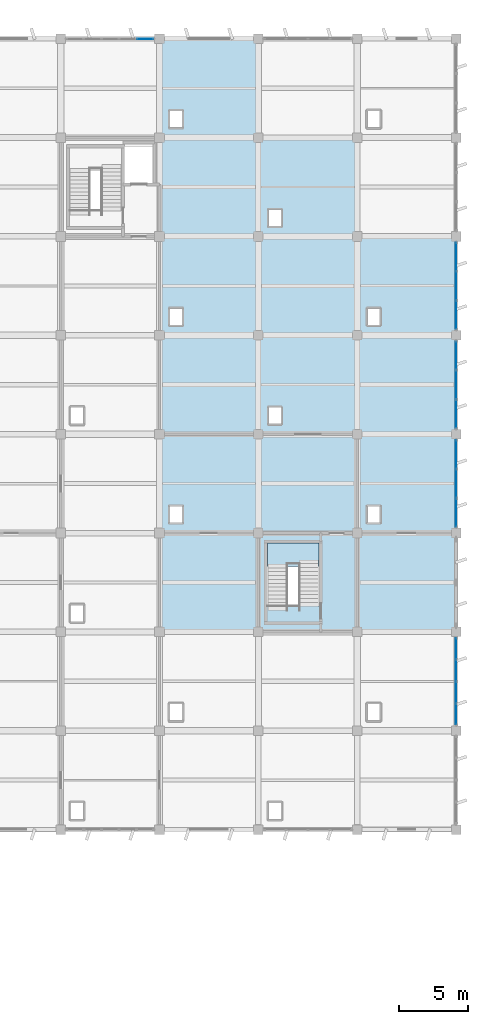
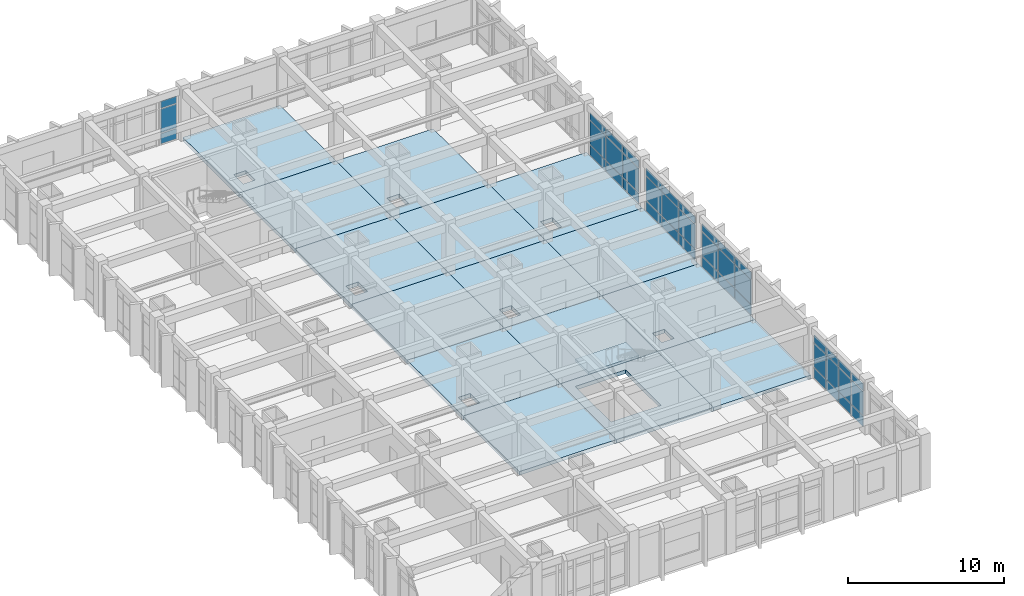
# One storey, part 44 of 70: 42 plates, 16 slabs, 6 elements without a shape of their own.
"""IFC4 building model written with IfcOpenShell, lengths in metres."""

from ifc_helpers import new_model, si_unit, direction, frame, origin, origin_2d, place, context, subcontext, project, spatial, polyline, rectangle, outline, extrude, material, layer, layer_set, type_object, element, aggregate, save


model = new_model("IFC4")

# Units and contexts
model_context = context("Model", 3, precision=1e-05, world=origin(), true_north=direction((0.0, 1.0)))
body_context = subcontext(model_context, "Body", "Model", "MODEL_VIEW")
ifc_project = project(units=[si_unit("LENGTHUNIT", "METRE"), si_unit("AREAUNIT", "SQUARE_METRE"), si_unit("VOLUMEUNIT", "CUBIC_METRE"), si_unit("PLANEANGLEUNIT", "RADIAN"), si_unit("MASSUNIT", "GRAM", prefix="KILO")], contexts=[model_context])

# Site, building, storey
site_placement = place(None, origin())
site = spatial("IfcSite", under=ifc_project, at=site_placement, CompositionType="ELEMENT")
building_placement = place(site_placement, origin())
building = spatial("IfcBuilding", under=site, at=building_placement, Name="Kavelor Marine Aquarium", CompositionType="ELEMENT")
storey_placement = place(building_placement, frame((0.0, 0.0, 9.179931640625)))
storey = spatial("IfcBuildingStorey", under=building, at=storey_placement, Name="L02", CompositionType="ELEMENT", Elevation=9.179931640625)

# Curtain wall, plates
ifc_material_1 = material(Name="Thermally Broken Aluminium and Low-E Glass", Category="aluminium")
ifc_layer_1 = layer(ifc_material_1, 0.26806640625)
ifc_layer_set_1 = layer_set([ifc_layer_1], Name="CW-SYS16")
curtain_wall_type_1 = type_object("IfcCurtainWallType", Name="CW-SYS16", PredefinedType="USERDEFINED", material=ifc_layer_set_1)
curtain_wall_1_placement = place(storey_placement, origin())
curtain_wall_1 = element("IfcCurtainWall", 1, at=curtain_wall_1_placement, inside=storey, type_object=curtain_wall_type_1, Name="cw:y:L02:21_08", ObjectType="Curtain Wall", PredefinedType="USERDEFINED")
ifc_material_2 = material(Name="Solar-Control Double Low-E Glazing", Category="glass")
ifc_layer_2 = layer(ifc_material_2, 0.031982421875)
ifc_layer_set_2 = layer_set([ifc_layer_2], Name="CWP-04")
plate_type_1 = type_object("IfcPlateType", Name="CWP-04", PredefinedType="CURTAIN_PANEL", material=ifc_layer_set_2)
plate_1_placement = place(storey_placement, frame((154.39990234375, 61.614990234375, 0.06005859375), z_axis=(0.0, 0.0, 1.0), x_axis=(0.0, 1.0, 0.0)))
plate_1 = element("IfcPlate", 2, at=plate_1_placement, type_object=plate_type_1, Name="CW16 panel 1.1", PredefinedType="CURTAIN_PANEL", context=body_context, shape_type="SweptSolid", body=[
    extrude(rectangle(XDim=1.489990234375, YDim=0.031982421875, at=origin_2d()), origin(), (0.0, 0.0, 1.0), 0.81005859375),
])
plate_2_placement = place(storey_placement, frame((154.39990234375, 61.614990234375, 0.929931640625), z_axis=(0.0, 0.0, 1.0), x_axis=(0.0, 1.0, 0.0)))
plate_2 = element("IfcPlate", 3, at=plate_2_placement, type_object=plate_type_1, Name="CW16 panel 1.2", PredefinedType="CURTAIN_PANEL", context=body_context, shape_type="SweptSolid", body=[
    extrude(rectangle(XDim=1.489990234375, YDim=0.031982421875, at=origin_2d()), origin(), (0.0, 0.0, 1.0), 1.8701171875),
])
plate_3_placement = place(storey_placement, frame((154.39990234375, 61.614990234375, 2.860107421875), z_axis=(0.0, 0.0, 1.0), x_axis=(0.0, 1.0, 0.0)))
plate_3 = element("IfcPlate", 4, at=plate_3_placement, type_object=plate_type_1, Name="CW16 panel 1.3", PredefinedType="CURTAIN_PANEL", context=body_context, shape_type="SweptSolid", body=[
    extrude(rectangle(XDim=1.489990234375, YDim=0.031982421875, at=origin_2d()), origin(), (0.0, 0.0, 1.0), 0.56005859375),
])
plate_4_placement = place(storey_placement, frame((154.39990234375, 63.19873046875, 0.06005859375), z_axis=(0.0, 0.0, 1.0), x_axis=(0.0, 1.0, 0.0)))
plate_4 = element("IfcPlate", 5, at=plate_4_placement, type_object=plate_type_1, Name="CW16 panel 2.1", PredefinedType="CURTAIN_PANEL", context=body_context, shape_type="SweptSolid", body=[
    extrude(rectangle(XDim=1.527587890625, YDim=0.031982421875, at=origin_2d()), origin(), (0.0, 0.0, 1.0), 0.81005859375),
])
plate_5_placement = place(storey_placement, frame((154.39990234375, 63.19873046875, 0.929931640625), z_axis=(0.0, 0.0, 1.0), x_axis=(0.0, 1.0, 0.0)))
plate_5 = element("IfcPlate", 6, at=plate_5_placement, type_object=plate_type_1, Name="CW16 panel 2.2", PredefinedType="CURTAIN_PANEL", context=body_context, shape_type="SweptSolid", body=[
    extrude(rectangle(XDim=1.527587890625, YDim=0.031982421875, at=origin_2d()), origin(), (0.0, 0.0, 1.0), 1.8701171875),
])
plate_6_placement = place(storey_placement, frame((154.39990234375, 63.19873046875, 2.860107421875), z_axis=(0.0, 0.0, 1.0), x_axis=(0.0, 1.0, 0.0)))
plate_6 = element("IfcPlate", 7, at=plate_6_placement, type_object=plate_type_1, Name="CW16 panel 2.3", PredefinedType="CURTAIN_PANEL", context=body_context, shape_type="SweptSolid", body=[
    extrude(rectangle(XDim=1.527587890625, YDim=0.031982421875, at=origin_2d()), origin(), (0.0, 0.0, 1.0), 0.56005859375),
])
plate_7_placement = place(storey_placement, frame((154.39990234375, 64.80126953125, 0.06005859375), z_axis=(0.0, 0.0, 1.0), x_axis=(0.0, 1.0, 0.0)))
plate_7 = element("IfcPlate", 8, at=plate_7_placement, type_object=plate_type_1, Name="CW16 panel 3.1", PredefinedType="CURTAIN_PANEL", context=body_context, shape_type="SweptSolid", body=[
    extrude(rectangle(XDim=1.527587890625, YDim=0.031982421875, at=origin_2d()), origin(), (0.0, 0.0, 1.0), 0.81005859375),
])
plate_8_placement = place(storey_placement, frame((154.39990234375, 64.80126953125, 0.929931640625), z_axis=(0.0, 0.0, 1.0), x_axis=(0.0, 1.0, 0.0)))
plate_8 = element("IfcPlate", 9, at=plate_8_placement, type_object=plate_type_1, Name="CW16 panel 3.2", PredefinedType="CURTAIN_PANEL", context=body_context, shape_type="SweptSolid", body=[
    extrude(rectangle(XDim=1.527587890625, YDim=0.031982421875, at=origin_2d()), origin(), (0.0, 0.0, 1.0), 1.8701171875),
])
plate_9_placement = place(storey_placement, frame((154.39990234375, 64.80126953125, 2.860107421875), z_axis=(0.0, 0.0, 1.0), x_axis=(0.0, 1.0, 0.0)))
plate_9 = element("IfcPlate", 10, at=plate_9_placement, type_object=plate_type_1, Name="CW16 panel 3.3", PredefinedType="CURTAIN_PANEL", context=body_context, shape_type="SweptSolid", body=[
    extrude(rectangle(XDim=1.527587890625, YDim=0.031982421875, at=origin_2d()), origin(), (0.0, 0.0, 1.0), 0.56005859375),
])
plate_10_placement = place(storey_placement, frame((154.39990234375, 66.385009765625, 0.06005859375), z_axis=(0.0, 0.0, 1.0), x_axis=(0.0, 1.0, 0.0)))
plate_10 = element("IfcPlate", 11, at=plate_10_placement, type_object=plate_type_1, Name="CW16 panel 4.1", PredefinedType="CURTAIN_PANEL", context=body_context, shape_type="SweptSolid", body=[
    extrude(rectangle(XDim=1.489990234375, YDim=0.031982421875, at=origin_2d()), origin(), (0.0, 0.0, 1.0), 0.81005859375),
])
plate_11_placement = place(storey_placement, frame((154.39990234375, 66.385009765625, 0.929931640625), z_axis=(0.0, 0.0, 1.0), x_axis=(0.0, 1.0, 0.0)))
plate_11 = element("IfcPlate", 12, at=plate_11_placement, type_object=plate_type_1, Name="CW16 panel 4.2", PredefinedType="CURTAIN_PANEL", context=body_context, shape_type="SweptSolid", body=[
    extrude(rectangle(XDim=1.489990234375, YDim=0.031982421875, at=origin_2d()), origin(), (0.0, 0.0, 1.0), 1.8701171875),
])
plate_12_placement = place(storey_placement, frame((154.39990234375, 66.385009765625, 2.860107421875), z_axis=(0.0, 0.0, 1.0), x_axis=(0.0, 1.0, 0.0)))
plate_12 = element("IfcPlate", 13, at=plate_12_placement, type_object=plate_type_1, Name="CW16 panel 4.3", PredefinedType="CURTAIN_PANEL", context=body_context, shape_type="SweptSolid", body=[
    extrude(rectangle(XDim=1.489990234375, YDim=0.031982421875, at=origin_2d()), origin(), (0.0, 0.0, 1.0), 0.56005859375),
])
aggregate(curtain_wall_1, [plate_1, plate_2, plate_3, plate_4, plate_5, plate_6, plate_7, plate_8, plate_9, plate_10, plate_11, plate_12])

ifc_material_3 = material(Name="Thermally Broken Aluminium and Low-E Glass", Category="aluminium")
ifc_layer_3 = layer(ifc_material_3, 0.27587890625)
ifc_layer_set_3 = layer_set([ifc_layer_3], Name="CW-SYS17")
curtain_wall_type_2 = type_object("IfcCurtainWallType", Name="CW-SYS17", PredefinedType="USERDEFINED", material=ifc_layer_set_3)
curtain_wall_2_placement = place(storey_placement, origin())
curtain_wall_2 = element("IfcCurtainWall", 14, at=curtain_wall_2_placement, inside=storey, type_object=curtain_wall_type_2, Name="cw:y:L02:21_10", ObjectType="Curtain Wall", PredefinedType="USERDEFINED")
ifc_material_4 = material(Name="Solar-Control Double Low-E Glazing", Category="glass")
ifc_layer_4 = layer(ifc_material_4, 0.033935546875)
ifc_layer_set_4 = layer_set([ifc_layer_4], Name="CWP-05")
plate_type_2 = type_object("IfcPlateType", Name="CWP-05", PredefinedType="CURTAIN_PANEL", material=ifc_layer_set_4)
plate_13_placement = place(storey_placement, frame((154.39990234375, 76.279541015625, 0.06005859375), z_axis=(0.0, 0.0, 1.0), x_axis=(0.0, 1.0, 0.0)))
plate_13 = element("IfcPlate", 15, at=plate_13_placement, type_object=plate_type_2, Name="CW17 panel 1.1", PredefinedType="CURTAIN_PANEL", context=body_context, shape_type="SweptSolid", body=[
    extrude(rectangle(XDim=2.0390625, YDim=0.033935546875, at=origin_2d()), origin(), (0.0, 0.0, 1.0), 0.81005859375),
])
plate_14_placement = place(storey_placement, frame((154.39990234375, 76.279541015625, 0.929931640625), z_axis=(0.0, 0.0, 1.0), x_axis=(0.0, 1.0, 0.0)))
plate_14 = element("IfcPlate", 16, at=plate_14_placement, type_object=plate_type_2, Name="CW17 panel 1.2", PredefinedType="CURTAIN_PANEL", context=body_context, shape_type="SweptSolid", body=[
    extrude(rectangle(XDim=2.0390625, YDim=0.033935546875, at=origin_2d()), origin(), (0.0, 0.0, 1.0), 1.8701171875),
])
plate_15_placement = place(storey_placement, frame((154.39990234375, 76.279541015625, 2.860107421875), z_axis=(0.0, 0.0, 1.0), x_axis=(0.0, 1.0, 0.0)))
plate_15 = element("IfcPlate", 17, at=plate_15_placement, type_object=plate_type_2, Name="CW17 panel 1.3", PredefinedType="CURTAIN_PANEL", context=body_context, shape_type="SweptSolid", body=[
    extrude(rectangle(XDim=2.0390625, YDim=0.033935546875, at=origin_2d()), origin(), (0.0, 0.0, 1.0), 0.56005859375),
])
plate_16_placement = place(storey_placement, frame((154.39990234375, 78.39990234375, 0.06005859375), z_axis=(0.0, 0.0, 1.0), x_axis=(0.0, 1.0, 0.0)))
plate_16 = element("IfcPlate", 18, at=plate_16_placement, type_object=plate_type_2, Name="CW17 panel 2.1", PredefinedType="CURTAIN_PANEL", context=body_context, shape_type="SweptSolid", body=[
    extrude(rectangle(XDim=2.07177734375, YDim=0.033935546875, at=origin_2d()), origin(), (0.0, 0.0, 1.0), 0.81005859375),
])
plate_17_placement = place(storey_placement, frame((154.39990234375, 78.39990234375, 0.929931640625), z_axis=(0.0, 0.0, 1.0), x_axis=(0.0, 1.0, 0.0)))
plate_17 = element("IfcPlate", 19, at=plate_17_placement, type_object=plate_type_2, Name="CW17 panel 2.2", PredefinedType="CURTAIN_PANEL", context=body_context, shape_type="SweptSolid", body=[
    extrude(rectangle(XDim=2.07177734375, YDim=0.033935546875, at=origin_2d()), origin(), (0.0, 0.0, 1.0), 1.8701171875),
])
plate_18_placement = place(storey_placement, frame((154.39990234375, 78.39990234375, 2.860107421875), z_axis=(0.0, 0.0, 1.0), x_axis=(0.0, 1.0, 0.0)))
plate_18 = element("IfcPlate", 20, at=plate_18_placement, type_object=plate_type_2, Name="CW17 panel 2.3", PredefinedType="CURTAIN_PANEL", context=body_context, shape_type="SweptSolid", body=[
    extrude(rectangle(XDim=2.07177734375, YDim=0.033935546875, at=origin_2d()), origin(), (0.0, 0.0, 1.0), 0.56005859375),
])
plate_19_placement = place(storey_placement, frame((154.39990234375, 80.5205078125, 0.06005859375), z_axis=(0.0, 0.0, 1.0), x_axis=(0.0, 1.0, 0.0)))
plate_19 = element("IfcPlate", 21, at=plate_19_placement, type_object=plate_type_2, Name="CW17 panel 3.1", PredefinedType="CURTAIN_PANEL", context=body_context, shape_type="SweptSolid", body=[
    extrude(rectangle(XDim=2.0390625, YDim=0.033935546875, at=origin_2d()), origin(), (0.0, 0.0, 1.0), 0.81005859375),
])
plate_20_placement = place(storey_placement, frame((154.39990234375, 80.5205078125, 0.929931640625), z_axis=(0.0, 0.0, 1.0), x_axis=(0.0, 1.0, 0.0)))
plate_20 = element("IfcPlate", 22, at=plate_20_placement, type_object=plate_type_2, Name="CW17 panel 3.2", PredefinedType="CURTAIN_PANEL", context=body_context, shape_type="SweptSolid", body=[
    extrude(rectangle(XDim=2.0390625, YDim=0.033935546875, at=origin_2d()), origin(), (0.0, 0.0, 1.0), 1.8701171875),
])
plate_21_placement = place(storey_placement, frame((154.39990234375, 80.5205078125, 2.860107421875), z_axis=(0.0, 0.0, 1.0), x_axis=(0.0, 1.0, 0.0)))
plate_21 = element("IfcPlate", 23, at=plate_21_placement, type_object=plate_type_2, Name="CW17 panel 3.3", PredefinedType="CURTAIN_PANEL", context=body_context, shape_type="SweptSolid", body=[
    extrude(rectangle(XDim=2.0390625, YDim=0.033935546875, at=origin_2d()), origin(), (0.0, 0.0, 1.0), 0.56005859375),
])
aggregate(curtain_wall_2, [plate_13, plate_14, plate_15, plate_16, plate_17, plate_18, plate_19, plate_20, plate_21])

ifc_material_5 = material(Name="Thermally Broken Aluminium and Low-E Glass", Category="aluminium")
ifc_layer_5 = layer(ifc_material_5, 0.283935546875)
ifc_layer_set_5 = layer_set([ifc_layer_5], Name="CW-SYS18")
curtain_wall_type_3 = type_object("IfcCurtainWallType", Name="CW-SYS18", PredefinedType="USERDEFINED", material=ifc_layer_set_5)
curtain_wall_3_placement = place(storey_placement, origin())
curtain_wall_3 = element("IfcCurtainWall", 24, at=curtain_wall_3_placement, inside=storey, type_object=curtain_wall_type_3, Name="cw:y:L02:21_11", ObjectType="Curtain Wall", PredefinedType="USERDEFINED")
ifc_material_6 = material(Name="Solar-Control Double Low-E Glazing", Category="glass")
ifc_layer_6 = layer(ifc_material_6, 0.035888671875)
ifc_layer_set_6 = layer_set([ifc_layer_6], Name="CWP-06")
plate_type_3 = type_object("IfcPlateType", Name="CWP-06", PredefinedType="CURTAIN_PANEL", material=ifc_layer_set_6)
plate_22_placement = place(storey_placement, frame((154.39990234375, 83.478271484375, 0.074951171875), z_axis=(0.0, 0.0, 1.0), x_axis=(0.0, 1.0, 0.0)))
plate_22 = element("IfcPlate", 25, at=plate_22_placement, type_object=plate_type_3, Name="CW18 panel 1.1", PredefinedType="CURTAIN_PANEL", context=body_context, shape_type="SweptSolid", body=[
    extrude(rectangle(XDim=2.046630859375, YDim=0.035888671875, at=origin_2d()), origin(), (0.0, 0.0, 1.0), 0.78759765625),
])
plate_23_placement = place(storey_placement, frame((154.39990234375, 83.478271484375, 0.9375), z_axis=(0.0, 0.0, 1.0), x_axis=(0.0, 1.0, 0.0)))
plate_23 = element("IfcPlate", 26, at=plate_23_placement, type_object=plate_type_3, Name="CW18 panel 1.2", PredefinedType="CURTAIN_PANEL", context=body_context, shape_type="SweptSolid", body=[
    extrude(rectangle(XDim=2.046630859375, YDim=0.035888671875, at=origin_2d()), origin(), (0.0, 0.0, 1.0), 1.85498046875),
])
plate_24_placement = place(storey_placement, frame((154.39990234375, 83.478271484375, 2.867431640625), z_axis=(0.0, 0.0, 1.0), x_axis=(0.0, 1.0, 0.0)))
plate_24 = element("IfcPlate", 27, at=plate_24_placement, type_object=plate_type_3, Name="CW18 panel 1.3", PredefinedType="CURTAIN_PANEL", context=body_context, shape_type="SweptSolid", body=[
    extrude(rectangle(XDim=2.046630859375, YDim=0.035888671875, at=origin_2d()), origin(), (0.0, 0.0, 1.0), 0.53759765625),
])
plate_25_placement = place(storey_placement, frame((154.39990234375, 85.60009765625, 0.074951171875), z_axis=(0.0, 0.0, 1.0), x_axis=(0.0, 1.0, 0.0)))
plate_25 = element("IfcPlate", 28, at=plate_25_placement, type_object=plate_type_3, Name="CW18 panel 2.1", PredefinedType="CURTAIN_PANEL", context=body_context, shape_type="SweptSolid", body=[
    extrude(rectangle(XDim=2.07666015625, YDim=0.035888671875, at=origin_2d()), origin(), (0.0, 0.0, 1.0), 0.78759765625),
])
plate_26_placement = place(storey_placement, frame((154.39990234375, 85.60009765625, 0.9375), z_axis=(0.0, 0.0, 1.0), x_axis=(0.0, 1.0, 0.0)))
plate_26 = element("IfcPlate", 29, at=plate_26_placement, type_object=plate_type_3, Name="CW18 panel 2.2", PredefinedType="CURTAIN_PANEL", context=body_context, shape_type="SweptSolid", body=[
    extrude(rectangle(XDim=2.07666015625, YDim=0.035888671875, at=origin_2d()), origin(), (0.0, 0.0, 1.0), 1.85498046875),
])
plate_27_placement = place(storey_placement, frame((154.39990234375, 85.60009765625, 2.867431640625), z_axis=(0.0, 0.0, 1.0), x_axis=(0.0, 1.0, 0.0)))
plate_27 = element("IfcPlate", 30, at=plate_27_placement, type_object=plate_type_3, Name="CW18 panel 2.3", PredefinedType="CURTAIN_PANEL", context=body_context, shape_type="SweptSolid", body=[
    extrude(rectangle(XDim=2.07666015625, YDim=0.035888671875, at=origin_2d()), origin(), (0.0, 0.0, 1.0), 0.53759765625),
])
plate_28_placement = place(storey_placement, frame((154.39990234375, 87.7216796875, 0.074951171875), z_axis=(0.0, 0.0, 1.0), x_axis=(0.0, 1.0, 0.0)))
plate_28 = element("IfcPlate", 31, at=plate_28_placement, type_object=plate_type_3, Name="CW18 panel 3.1", PredefinedType="CURTAIN_PANEL", context=body_context, shape_type="SweptSolid", body=[
    extrude(rectangle(XDim=2.046630859375, YDim=0.035888671875, at=origin_2d()), origin(), (0.0, 0.0, 1.0), 0.78759765625),
])
plate_29_placement = place(storey_placement, frame((154.39990234375, 87.7216796875, 0.9375), z_axis=(0.0, 0.0, 1.0), x_axis=(0.0, 1.0, 0.0)))
plate_29 = element("IfcPlate", 32, at=plate_29_placement, type_object=plate_type_3, Name="CW18 panel 3.2", PredefinedType="CURTAIN_PANEL", context=body_context, shape_type="SweptSolid", body=[
    extrude(rectangle(XDim=2.046630859375, YDim=0.035888671875, at=origin_2d()), origin(), (0.0, 0.0, 1.0), 1.85498046875),
])
plate_30_placement = place(storey_placement, frame((154.39990234375, 87.7216796875, 2.867431640625), z_axis=(0.0, 0.0, 1.0), x_axis=(0.0, 1.0, 0.0)))
plate_30 = element("IfcPlate", 33, at=plate_30_placement, type_object=plate_type_3, Name="CW18 panel 3.3", PredefinedType="CURTAIN_PANEL", context=body_context, shape_type="SweptSolid", body=[
    extrude(rectangle(XDim=2.046630859375, YDim=0.035888671875, at=origin_2d()), origin(), (0.0, 0.0, 1.0), 0.53759765625),
])
aggregate(curtain_wall_3, [plate_22, plate_23, plate_24, plate_25, plate_26, plate_27, plate_28, plate_29, plate_30])

ifc_material_7 = material(Name="Thermally Broken Aluminium and Low-E Glass", Category="aluminium")
ifc_layer_7 = layer(ifc_material_7, 0.196044921875)
ifc_layer_set_7 = layer_set([ifc_layer_7], Name="CW-SYS7")
curtain_wall_type_4 = type_object("IfcCurtainWallType", Name="CW-SYS7", PredefinedType="USERDEFINED", material=ifc_layer_set_7)
curtain_wall_4_placement = place(storey_placement, origin())
curtain_wall_4 = element("IfcCurtainWall", 34, at=curtain_wall_4_placement, inside=storey, type_object=curtain_wall_type_4, Name="cw:x:L02:17_15", ObjectType="Curtain Wall", PredefinedType="USERDEFINED")
ifc_material_8 = material(Name="Solar-Control Double Low-E Glazing", Category="glass")
ifc_layer_8 = layer(ifc_material_8, 0.0380859375)
ifc_layer_set_8 = layer_set([ifc_layer_8], Name="CWP-07")
plate_type_4 = type_object("IfcPlateType", Name="CWP-07", PredefinedType="CURTAIN_PANEL", material=ifc_layer_set_8)
plate_31_placement = place(storey_placement, frame((131.745361328125, 110.800048828125, 0.074951171875), z_axis=(0.0, 0.0, 1.0), x_axis=(1.0, 0.0, 0.0)))
plate_31 = element("IfcPlate", 35, at=plate_31_placement, type_object=plate_type_4, Name="CW07 panel 5.1", PredefinedType="CURTAIN_PANEL", context=body_context, shape_type="SweptSolid", body=[
    extrude(rectangle(XDim=1.16943359375, YDim=0.0380859375, at=origin_2d()), origin(), (0.0, 0.0, 1.0), 0.78759765625),
])
plate_32_placement = place(storey_placement, frame((131.745361328125, 110.800048828125, 0.9375), z_axis=(0.0, 0.0, 1.0), x_axis=(1.0, 0.0, 0.0)))
plate_32 = element("IfcPlate", 36, at=plate_32_placement, type_object=plate_type_4, Name="CW07 panel 5.2", PredefinedType="CURTAIN_PANEL", context=body_context, shape_type="SweptSolid", body=[
    extrude(rectangle(XDim=1.16943359375, YDim=0.0380859375, at=origin_2d()), origin(), (0.0, 0.0, 1.0), 1.85498046875),
])
plate_33_placement = place(storey_placement, frame((131.745361328125, 110.800048828125, 2.867431640625), z_axis=(0.0, 0.0, 1.0), x_axis=(1.0, 0.0, 0.0)))
plate_33 = element("IfcPlate", 37, at=plate_33_placement, type_object=plate_type_4, Name="CW07 panel 5.3", PredefinedType="CURTAIN_PANEL", context=body_context, shape_type="SweptSolid", body=[
    extrude(rectangle(XDim=1.16943359375, YDim=0.0380859375, at=origin_2d()), origin(), (0.0, 0.0, 1.0), 0.53759765625),
])
aggregate(curtain_wall_4, [plate_31, plate_32, plate_33])

ifc_material_9 = material(Name="Thermally Broken Aluminium and Low-E Glass", Category="aluminium")
ifc_layer_9 = layer(ifc_material_9, 0.2919921875)
ifc_layer_set_9 = layer_set([ifc_layer_9], Name="CW-SYS19")
curtain_wall_type_5 = type_object("IfcCurtainWallType", Name="CW-SYS19", PredefinedType="USERDEFINED", material=ifc_layer_set_9)
curtain_wall_5_placement = place(storey_placement, origin())
curtain_wall_5 = element("IfcCurtainWall", 38, at=curtain_wall_5_placement, inside=storey, type_object=curtain_wall_type_5, Name="cw:y:L02:21_12", ObjectType="Curtain Wall", PredefinedType="USERDEFINED")
plate_34_placement = place(storey_placement, frame((154.39990234375, 90.68212890625, 0.074951171875), z_axis=(0.0, 0.0, 1.0), x_axis=(0.0, 1.0, 0.0)))
plate_34 = element("IfcPlate", 39, at=plate_34_placement, type_object=plate_type_4, Name="CW19 panel 1.1", PredefinedType="CURTAIN_PANEL", context=body_context, shape_type="SweptSolid", body=[
    extrude(rectangle(XDim=2.024169921875, YDim=0.0380859375, at=origin_2d()), origin(), (0.0, 0.0, 1.0), 0.78759765625),
])
plate_35_placement = place(storey_placement, frame((154.39990234375, 90.68212890625, 0.9375), z_axis=(0.0, 0.0, 1.0), x_axis=(0.0, 1.0, 0.0)))
plate_35 = element("IfcPlate", 40, at=plate_35_placement, type_object=plate_type_4, Name="CW19 panel 1.2", PredefinedType="CURTAIN_PANEL", context=body_context, shape_type="SweptSolid", body=[
    extrude(rectangle(XDim=2.024169921875, YDim=0.0380859375, at=origin_2d()), origin(), (0.0, 0.0, 1.0), 1.85498046875),
])
plate_36_placement = place(storey_placement, frame((154.39990234375, 90.68212890625, 2.867431640625), z_axis=(0.0, 0.0, 1.0), x_axis=(0.0, 1.0, 0.0)))
plate_36 = element("IfcPlate", 41, at=plate_36_placement, type_object=plate_type_4, Name="CW19 panel 1.3", PredefinedType="CURTAIN_PANEL", context=body_context, shape_type="SweptSolid", body=[
    extrude(rectangle(XDim=2.024169921875, YDim=0.0380859375, at=origin_2d()), origin(), (0.0, 0.0, 1.0), 0.53759765625),
])
plate_37_placement = place(storey_placement, frame((154.39990234375, 92.800048828125, 0.074951171875), z_axis=(0.0, 0.0, 1.0), x_axis=(0.0, 1.0, 0.0)))
plate_37 = element("IfcPlate", 42, at=plate_37_placement, type_object=plate_type_4, Name="CW19 panel 2.1", PredefinedType="CURTAIN_PANEL", context=body_context, shape_type="SweptSolid", body=[
    extrude(rectangle(XDim=2.061767578125, YDim=0.0380859375, at=origin_2d()), origin(), (0.0, 0.0, 1.0), 0.78759765625),
])
plate_38_placement = place(storey_placement, frame((154.39990234375, 92.800048828125, 0.9375), z_axis=(0.0, 0.0, 1.0), x_axis=(0.0, 1.0, 0.0)))
plate_38 = element("IfcPlate", 43, at=plate_38_placement, type_object=plate_type_4, Name="CW19 panel 2.2", PredefinedType="CURTAIN_PANEL", context=body_context, shape_type="SweptSolid", body=[
    extrude(rectangle(XDim=2.061767578125, YDim=0.0380859375, at=origin_2d()), origin(), (0.0, 0.0, 1.0), 1.85498046875),
])
plate_39_placement = place(storey_placement, frame((154.39990234375, 92.800048828125, 2.867431640625), z_axis=(0.0, 0.0, 1.0), x_axis=(0.0, 1.0, 0.0)))
plate_39 = element("IfcPlate", 44, at=plate_39_placement, type_object=plate_type_4, Name="CW19 panel 2.3", PredefinedType="CURTAIN_PANEL", context=body_context, shape_type="SweptSolid", body=[
    extrude(rectangle(XDim=2.061767578125, YDim=0.0380859375, at=origin_2d()), origin(), (0.0, 0.0, 1.0), 0.53759765625),
])
plate_40_placement = place(storey_placement, frame((154.39990234375, 94.91796875, 0.074951171875), z_axis=(0.0, 0.0, 1.0), x_axis=(0.0, 1.0, 0.0)))
plate_40 = element("IfcPlate", 45, at=plate_40_placement, type_object=plate_type_4, Name="CW19 panel 3.1", PredefinedType="CURTAIN_PANEL", context=body_context, shape_type="SweptSolid", body=[
    extrude(rectangle(XDim=2.024169921875, YDim=0.0380859375, at=origin_2d()), origin(), (0.0, 0.0, 1.0), 0.78759765625),
])
plate_41_placement = place(storey_placement, frame((154.39990234375, 94.91796875, 0.9375), z_axis=(0.0, 0.0, 1.0), x_axis=(0.0, 1.0, 0.0)))
plate_41 = element("IfcPlate", 46, at=plate_41_placement, type_object=plate_type_4, Name="CW19 panel 3.2", PredefinedType="CURTAIN_PANEL", context=body_context, shape_type="SweptSolid", body=[
    extrude(rectangle(XDim=2.024169921875, YDim=0.0380859375, at=origin_2d()), origin(), (0.0, 0.0, 1.0), 1.85498046875),
])
plate_42_placement = place(storey_placement, frame((154.39990234375, 94.91796875, 2.867431640625), z_axis=(0.0, 0.0, 1.0), x_axis=(0.0, 1.0, 0.0)))
plate_42 = element("IfcPlate", 47, at=plate_42_placement, type_object=plate_type_4, Name="CW19 panel 3.3", PredefinedType="CURTAIN_PANEL", context=body_context, shape_type="SweptSolid", body=[
    extrude(rectangle(XDim=2.024169921875, YDim=0.0380859375, at=origin_2d()), origin(), (0.0, 0.0, 1.0), 0.53759765625),
])
aggregate(curtain_wall_5, [plate_34, plate_35, plate_36, plate_37, plate_38, plate_39, plate_40, plate_41, plate_42])

# Stair, slab
ifc_material_10 = material(Name="Concrete C40/50", Category="concrete")
stair_type = type_object("IfcStairType", Name="ST-T3", PredefinedType="HALF_TURN_STAIR", material=ifc_material_10)
stair_placement = place(storey_placement, origin())
stair = element("IfcStair", 48, at=stair_placement, inside=storey, type_object=stair_type, Name="Exit Stair ST11 (L02)", PredefinedType="HALF_TURN_STAIR")
ifc_material_11 = material(Name="Concrete C40/50", Category="concrete")
ifc_layer_10 = layer(ifc_material_11, 0.199951171875)
ifc_layer_set_10 = layer_set([ifc_layer_10], Name="LND-T3")
slab_type_1 = type_object("IfcSlabType", Name="LND-T3", PredefinedType="LANDING", material=ifc_layer_set_10)
slab_1_placement = place(storey_placement, frame((0.0, 0.0, 1.9599609375)))
slab_1 = element("IfcSlab", 49, at=slab_1_placement, type_object=slab_type_1, Name="ST11 landing 1", PredefinedType="LANDING", context=body_context, shape_type="SweptSolid", body=[
    extrude(outline(polyline([(140.659912109375, 72.364013671875), (144.419921875, 72.364013671875), (144.419921875, 74.06005859375), (140.659912109375, 74.06005859375), (140.659912109375, 72.364013671875)])), origin(), (0.0, 0.0, 1.0), 0.2001953125),
])
aggregate(stair, [slab_1])

# Slabs
ifc_material_12 = material(Name="Concrete C40/50", Category="concrete")
ifc_layer_11 = layer(ifc_material_12, 0.300048828125)
ifc_layer_set_11 = layer_set([ifc_layer_11], Name="SL-FL1")
slab_type_2 = type_object("IfcSlabType", Name="SL-FL1", PredefinedType="FLOOR", material=ifc_layer_set_11)
slab_2_placement = place(storey_placement, frame((0.0, 0.0, -0.300048828125)))
element("IfcSlab", 50, at=slab_2_placement, inside=storey, type_object=slab_type_2, Name="slab:L02:18_10", PredefinedType="FLOOR", context=body_context, shape_type="SweptSolid", body=[
    extrude(outline(polyline([(132.800048828125, 74.800048828125), (140.0, 74.800048828125), (140.0, 82.0), (132.800048828125, 82.0), (132.800048828125, 74.800048828125)]), holes=[polyline([(133.550048828125, 75.550048828125), (134.449951171875, 75.550048828125), (134.449951171875, 76.75), (133.550048828125, 76.75), (133.550048828125, 75.550048828125)])]), origin(), (0.0, 0.0, 1.0), 0.300048828125),
])
slab_3_placement = place(storey_placement, frame((0.0, 0.0, -0.300048828125)))
element("IfcSlab", 51, at=slab_3_placement, inside=storey, type_object=slab_type_2, Name="slab:L02:18_12", PredefinedType="FLOOR", context=body_context, shape_type="SweptSolid", body=[
    extrude(outline(polyline([(132.800048828125, 89.199951171875), (140.0, 89.199951171875), (140.0, 96.39990234375), (132.800048828125, 96.39990234375), (132.800048828125, 89.199951171875)]), holes=[polyline([(133.550048828125, 89.949951171875), (134.449951171875, 89.949951171875), (134.449951171875, 91.14990234375), (133.550048828125, 91.14990234375), (133.550048828125, 89.949951171875)])]), origin(), (0.0, 0.0, 1.0), 0.300048828125),
])
slab_4_placement = place(storey_placement, frame((0.0, 0.0, -0.300048828125)))
element("IfcSlab", 52, at=slab_4_placement, inside=storey, type_object=slab_type_2, Name="slab:L02:18_14", PredefinedType="FLOOR", context=body_context, shape_type="SweptSolid", body=[
    extrude(outline(polyline([(132.800048828125, 103.60009765625), (140.0, 103.60009765625), (140.0, 110.800048828125), (132.800048828125, 110.800048828125), (132.800048828125, 103.60009765625)]), holes=[polyline([(133.550048828125, 104.35009765625), (134.449951171875, 104.35009765625), (134.449951171875, 105.550048828125), (133.550048828125, 105.550048828125), (133.550048828125, 104.35009765625)])]), origin(), (0.0, 0.0, 1.0), 0.300048828125),
])
slab_5_placement = place(storey_placement, frame((0.0, 0.0, -0.300048828125)))
element("IfcSlab", 53, at=slab_5_placement, inside=storey, type_object=slab_type_2, Name="slab:L02:19_09", PredefinedType="FLOOR", context=body_context, shape_type="SweptSolid", body=[
    extrude(outline(polyline([(140.0, 67.60009765625), (147.199951171875, 67.60009765625), (147.199951171875, 74.800048828125), (140.0, 74.800048828125), (140.0, 67.60009765625)]), holes=[polyline([(140.679931640625, 69.48291015625), (144.39990234375, 69.48291015625), (144.39990234375, 74.070068359375), (140.679931640625, 74.070068359375), (140.679931640625, 69.48291015625)])]), origin(), (0.0, 0.0, 1.0), 0.300048828125),
])
slab_6_placement = place(storey_placement, frame((0.0, 0.0, -0.300048828125)))
element("IfcSlab", 54, at=slab_6_placement, inside=storey, type_object=slab_type_2, Name="slab:L02:19_11", PredefinedType="FLOOR", context=body_context, shape_type="SweptSolid", body=[
    extrude(outline(polyline([(140.0, 82.0), (147.199951171875, 82.0), (147.199951171875, 89.199951171875), (140.0, 89.199951171875), (140.0, 82.0)]), holes=[polyline([(140.75, 82.75), (141.64990234375, 82.75), (141.64990234375, 83.949951171875), (140.75, 83.949951171875), (140.75, 82.75)])]), origin(), (0.0, 0.0, 1.0), 0.300048828125),
])
slab_7_placement = place(storey_placement, frame((0.0, 0.0, -0.300048828125)))
element("IfcSlab", 55, at=slab_7_placement, inside=storey, type_object=slab_type_2, Name="slab:L02:19_13", PredefinedType="FLOOR", context=body_context, shape_type="SweptSolid", body=[
    extrude(outline(polyline([(140.0, 96.39990234375), (147.199951171875, 96.39990234375), (147.199951171875, 103.60009765625), (140.0, 103.60009765625), (140.0, 96.39990234375)]), holes=[polyline([(140.75, 97.14990234375), (141.64990234375, 97.14990234375), (141.64990234375, 98.35009765625), (140.75, 98.35009765625), (140.75, 97.14990234375)])]), origin(), (0.0, 0.0, 1.0), 0.300048828125),
])
slab_8_placement = place(storey_placement, frame((0.0, 0.0, -0.300048828125)))
element("IfcSlab", 56, at=slab_8_placement, inside=storey, type_object=slab_type_2, Name="slab:L02:20_10", PredefinedType="FLOOR", context=body_context, shape_type="SweptSolid", body=[
    extrude(outline(polyline([(147.199951171875, 74.800048828125), (154.39990234375, 74.800048828125), (154.39990234375, 82.0), (147.199951171875, 82.0), (147.199951171875, 74.800048828125)]), holes=[polyline([(147.949951171875, 75.550048828125), (148.85009765625, 75.550048828125), (148.85009765625, 76.75), (147.949951171875, 76.75), (147.949951171875, 75.550048828125)])]), origin(), (0.0, 0.0, 1.0), 0.300048828125),
])
slab_9_placement = place(storey_placement, frame((0.0, 0.0, -0.300048828125)))
element("IfcSlab", 57, at=slab_9_placement, inside=storey, type_object=slab_type_2, Name="slab:L02:20_12", PredefinedType="FLOOR", context=body_context, shape_type="SweptSolid", body=[
    extrude(outline(polyline([(147.199951171875, 89.199951171875), (154.39990234375, 89.199951171875), (154.39990234375, 96.39990234375), (147.199951171875, 96.39990234375), (147.199951171875, 89.199951171875)]), holes=[polyline([(147.949951171875, 89.949951171875), (148.85009765625, 89.949951171875), (148.85009765625, 91.14990234375), (147.949951171875, 91.14990234375), (147.949951171875, 89.949951171875)])]), origin(), (0.0, 0.0, 1.0), 0.300048828125),
])
ifc_material_13 = material(Name="Concrete C40/50", Category="concrete")
ifc_layer_12 = layer(ifc_material_13, 0.280029296875)
ifc_layer_set_12 = layer_set([ifc_layer_12], Name="SL-FL2")
slab_type_3 = type_object("IfcSlabType", Name="SL-FL2", PredefinedType="FLOOR", material=ifc_layer_set_12)
slab_10_placement = place(storey_placement, frame((0.0, 0.0, -0.280029296875)))
element("IfcSlab", 58, at=slab_10_placement, inside=storey, type_object=slab_type_3, Name="slab:L02:18_09", PredefinedType="FLOOR", context=body_context, shape_type="SweptSolid", body=[
    extrude(outline(polyline([(132.800048828125, 67.60009765625), (140.0, 67.60009765625), (140.0, 74.800048828125), (132.800048828125, 74.800048828125), (132.800048828125, 67.60009765625)])), origin(), (0.0, 0.0, 1.0), 0.280029296875),
])
slab_11_placement = place(storey_placement, frame((0.0, 0.0, -0.280029296875)))
element("IfcSlab", 59, at=slab_11_placement, inside=storey, type_object=slab_type_3, Name="slab:L02:18_11", PredefinedType="FLOOR", context=body_context, shape_type="SweptSolid", body=[
    extrude(outline(polyline([(132.800048828125, 82.0), (140.0, 82.0), (140.0, 89.199951171875), (132.800048828125, 89.199951171875), (132.800048828125, 82.0)])), origin(), (0.0, 0.0, 1.0), 0.280029296875),
])
slab_12_placement = place(storey_placement, frame((0.0, 0.0, -0.280029296875)))
element("IfcSlab", 60, at=slab_12_placement, inside=storey, type_object=slab_type_3, Name="slab:L02:18_13", PredefinedType="FLOOR", context=body_context, shape_type="SweptSolid", body=[
    extrude(outline(polyline([(132.800048828125, 96.39990234375), (140.0, 96.39990234375), (140.0, 103.60009765625), (132.800048828125, 103.60009765625), (132.800048828125, 96.39990234375)])), origin(), (0.0, 0.0, 1.0), 0.280029296875),
])
slab_13_placement = place(storey_placement, frame((0.0, 0.0, -0.280029296875)))
element("IfcSlab", 61, at=slab_13_placement, inside=storey, type_object=slab_type_3, Name="slab:L02:19_10", PredefinedType="FLOOR", context=body_context, shape_type="SweptSolid", body=[
    extrude(outline(polyline([(140.0, 74.800048828125), (147.199951171875, 74.800048828125), (147.199951171875, 82.0), (140.0, 82.0), (140.0, 74.800048828125)])), origin(), (0.0, 0.0, 1.0), 0.280029296875),
])
slab_14_placement = place(storey_placement, frame((0.0, 0.0, -0.280029296875)))
element("IfcSlab", 62, at=slab_14_placement, inside=storey, type_object=slab_type_3, Name="slab:L02:19_12", PredefinedType="FLOOR", context=body_context, shape_type="SweptSolid", body=[
    extrude(outline(polyline([(140.0, 89.199951171875), (147.199951171875, 89.199951171875), (147.199951171875, 96.39990234375), (140.0, 96.39990234375), (140.0, 89.199951171875)])), origin(), (0.0, 0.0, 1.0), 0.280029296875),
])
slab_15_placement = place(storey_placement, frame((0.0, 0.0, -0.280029296875)))
element("IfcSlab", 63, at=slab_15_placement, inside=storey, type_object=slab_type_3, Name="slab:L02:20_09", PredefinedType="FLOOR", context=body_context, shape_type="SweptSolid", body=[
    extrude(outline(polyline([(147.199951171875, 67.60009765625), (154.39990234375, 67.60009765625), (154.39990234375, 74.800048828125), (147.199951171875, 74.800048828125), (147.199951171875, 67.60009765625)])), origin(), (0.0, 0.0, 1.0), 0.280029296875),
])
slab_16_placement = place(storey_placement, frame((0.0, 0.0, -0.280029296875)))
element("IfcSlab", 64, at=slab_16_placement, inside=storey, type_object=slab_type_3, Name="slab:L02:20_11", PredefinedType="FLOOR", context=body_context, shape_type="SweptSolid", body=[
    extrude(outline(polyline([(147.199951171875, 82.0), (154.39990234375, 82.0), (154.39990234375, 89.199951171875), (147.199951171875, 89.199951171875), (147.199951171875, 82.0)])), origin(), (0.0, 0.0, 1.0), 0.280029296875),
])

save(model, "model.ifc")
